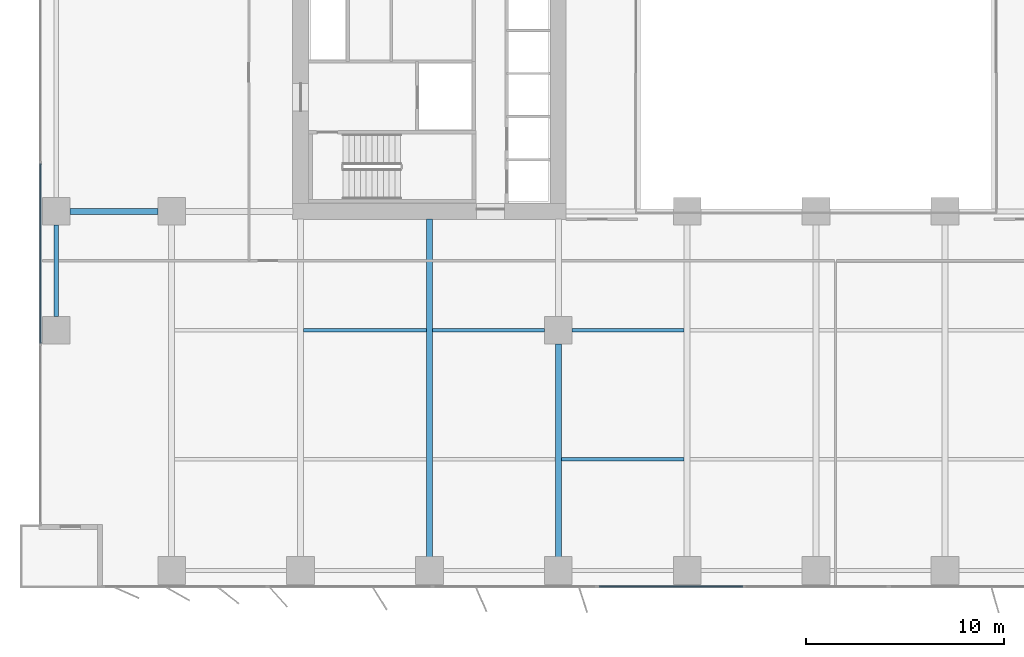
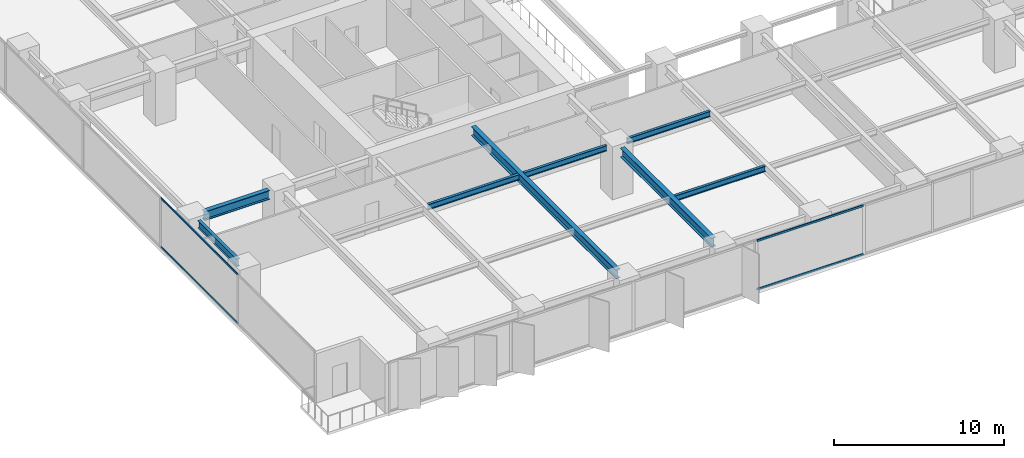
# One storey, part 3 of 20: 8 beams, 4 members, 2 elements without a shape of their own.
"""IFC4 building model written with IfcOpenShell, lengths in metres."""

from ifc_helpers import new_model, si_unit, direction, frame, origin, origin_2d, place, context, subcontext, project, spatial, rectangle, i_section, extrude, material, layer, layer_set, material_profile, profile_set, type_object, element, aggregate, save


model = new_model("IFC4")

# Units and contexts
model_context = context("Model", 3, precision=1e-05, world=origin(), true_north=direction((0.0, 1.0)))
body_context = subcontext(model_context, "Body", "Model", "MODEL_VIEW")
ifc_project = project(units=[si_unit("LENGTHUNIT", "METRE"), si_unit("AREAUNIT", "SQUARE_METRE"), si_unit("VOLUMEUNIT", "CUBIC_METRE"), si_unit("PLANEANGLEUNIT", "RADIAN"), si_unit("MASSUNIT", "GRAM", prefix="KILO")], contexts=[model_context])

# Site, building, storey
site_placement = place(None, origin())
site = spatial("IfcSite", under=ifc_project, at=site_placement, CompositionType="ELEMENT")
building_placement = place(site_placement, origin())
building = spatial("IfcBuilding", under=site, at=building_placement, Name="Putna Gate Headquarters", CompositionType="ELEMENT")
storey_placement = place(building_placement, frame((0.0, 0.0, 31.60009765625)))
storey = spatial("IfcBuildingStorey", under=building, at=storey_placement, Name="L06", CompositionType="ELEMENT", Elevation=31.60009765625)

# Beams
ifc_material_1 = material(Name="Steel S355J2", Category="steel")
ifc_material_profile_1 = material_profile(ifc_material_1, i_section(OverallWidth=0.300048828125, OverallDepth=0.64990234375, WebThickness=0.01611328125, FlangeThickness=0.031005859375, at=origin_2d()), Name="Steel S355J2")
ifc_profile_set_1 = profile_set([ifc_material_profile_1], Name="Steel S355J2")
beam_type_1 = type_object("IfcBeamType", Name="BM-GIRD-Z1-HEB650", PredefinedType="USERDEFINED", material=ifc_profile_set_1)
beam_1_placement = place(storey_placement, frame((1.367919921875, 19.0, 3.224853515625), z_axis=(1.0, 0.0, 0.0), x_axis=(0.0, 1.0, 0.0)))
element("IfcBeam", 1, at=beam_1_placement, inside=storey, type_object=beam_type_1, Name="L06 West Wing Girder Y19-1", ObjectType="GIRDER", PredefinedType="USERDEFINED", context=body_context, shape_type="SweptSolid", body=[
    extrude(i_section(OverallWidth=0.300048828125, OverallDepth=0.64990234375, WebThickness=0.01611328125, FlangeThickness=0.031005859375, at=origin_2d()), origin(), (0.0, 0.0, 1.0), 4.444091796875),
])
beam_2_placement = place(storey_placement, frame((19.5, 1.568115234375, 3.224853515625), z_axis=(0.0, 1.0, 0.0), x_axis=(-1.0, 0.0, 0.0)))
element("IfcBeam", 2, at=beam_2_placement, inside=storey, type_object=beam_type_1, Name="L06 South Primary Girder X19", ObjectType="GIRDER", PredefinedType="USERDEFINED", context=body_context, shape_type="SweptSolid", body=[
    extrude(i_section(OverallWidth=0.300048828125, OverallDepth=0.64990234375, WebThickness=0.01611328125, FlangeThickness=0.031005859375, at=origin_2d()), origin(), (0.0, 0.0, 1.0), 17.046875),
])
beam_3_placement = place(storey_placement, frame((26.0, 1.568115234375, 3.224853515625), z_axis=(0.0, 1.0, 0.0), x_axis=(-1.0, 0.0, 0.0)))
element("IfcBeam", 3, at=beam_3_placement, inside=storey, type_object=beam_type_1, Name="L06 South Primary Girder X26-1", ObjectType="GIRDER", PredefinedType="USERDEFINED", context=body_context, shape_type="SweptSolid", body=[
    extrude(i_section(OverallWidth=0.300048828125, OverallDepth=0.64990234375, WebThickness=0.01611328125, FlangeThickness=0.031005859375, at=origin_2d()), origin(), (0.0, 0.0, 1.0), 10.743896484375),
])
ifc_material_profile_2 = material_profile(ifc_material_1, i_section(OverallWidth=0.179931640625, OverallDepth=0.39990234375, WebThickness=0.008544921875, FlangeThickness=0.013427734375, at=origin_2d()), Name="Steel S355J2")
ifc_profile_set_2 = profile_set([ifc_material_profile_2], Name="Steel S355J2")
beam_type_2 = type_object("IfcBeamType", Name="BM-SEC-Z1-IPE400", PredefinedType="BEAM", material=ifc_profile_set_2)
beam_4_placement = place(storey_placement, frame((13.154052734375, 13.0, 3.349853515625), z_axis=(1.0, 0.0, 0.0), x_axis=(0.0, 1.0, 0.0)))
element("IfcBeam", 4, at=beam_4_placement, inside=storey, type_object=beam_type_2, Name="L06 South Secondary Beam 2", PredefinedType="BEAM", context=body_context, shape_type="SweptSolid", body=[
    extrude(i_section(OverallWidth=0.179931640625, OverallDepth=0.39990234375, WebThickness=0.008544921875, FlangeThickness=0.013427734375, at=origin_2d()), origin(), (0.0, 0.0, 1.0), 6.19189453125),
])
beam_5_placement = place(storey_placement, frame((19.654052734375, 13.0, 3.349853515625), z_axis=(1.0, 0.0, 0.0), x_axis=(0.0, 1.0, 0.0)))
element("IfcBeam", 5, at=beam_5_placement, inside=storey, type_object=beam_type_2, Name="L06 South Secondary Beam 3", PredefinedType="BEAM", context=body_context, shape_type="SweptSolid", body=[
    extrude(i_section(OverallWidth=0.179931640625, OverallDepth=0.39990234375, WebThickness=0.008544921875, FlangeThickness=0.013427734375, at=origin_2d()), origin(), (0.0, 0.0, 1.0), 5.657958984375),
])
beam_6_placement = place(storey_placement, frame((26.154052734375, 6.5, 3.349853515625), z_axis=(1.0, 0.0, 0.0), x_axis=(0.0, 1.0, 0.0)))
element("IfcBeam", 6, at=beam_6_placement, inside=storey, type_object=beam_type_2, Name="L06 South Secondary Beam 4", PredefinedType="BEAM", context=body_context, shape_type="SweptSolid", body=[
    extrude(i_section(OverallWidth=0.179931640625, OverallDepth=0.39990234375, WebThickness=0.008544921875, FlangeThickness=0.013427734375, at=origin_2d()), origin(), (0.0, 0.0, 1.0), 6.19189453125),
])
beam_7_placement = place(storey_placement, frame((26.68798828125, 13.0, 3.349853515625), z_axis=(1.0, 0.0, 0.0), x_axis=(0.0, 1.0, 0.0)))
element("IfcBeam", 7, at=beam_7_placement, inside=storey, type_object=beam_type_2, Name="L06 South Secondary Beam 4", PredefinedType="BEAM", context=body_context, shape_type="SweptSolid", body=[
    extrude(i_section(OverallWidth=0.179931640625, OverallDepth=0.39990234375, WebThickness=0.008544921875, FlangeThickness=0.013427734375, at=origin_2d()), origin(), (0.0, 0.0, 1.0), 5.657958984375),
])
ifc_material_profile_3 = material_profile(ifc_material_1, i_section(OverallWidth=0.2099609375, OverallDepth=0.550048828125, WebThickness=0.010986328125, FlangeThickness=0.01708984375, at=origin_2d()), Name="Steel S355J2")
ifc_profile_set_3 = profile_set([ifc_material_profile_3], Name="Steel S355J2")
beam_type_3 = type_object("IfcBeamType", Name="BM-SPAN-Z1-IPE550", PredefinedType="SPANDREL", material=ifc_profile_set_3)
beam_8_placement = place(storey_placement, frame((0.679931640625, 13.68798828125, 3.27490234375), z_axis=(0.0, 1.0, 0.0), x_axis=(-1.0, 0.0, 0.0)))
element("IfcBeam", 8, at=beam_8_placement, inside=storey, type_object=beam_type_3, Name="L06 W End Spandrel 1", PredefinedType="SPANDREL", context=body_context, shape_type="SweptSolid", body=[
    extrude(i_section(OverallWidth=0.2099609375, OverallDepth=0.550048828125, WebThickness=0.010986328125, FlangeThickness=0.01708984375, at=origin_2d()), origin(), (0.0, 0.0, 1.0), 4.6240234375),
])

# Curtain wall, members
ifc_material_2 = material(Name="Anodised bronze aluminium curtain wall", Category="aluminium")
ifc_layer_1 = layer(ifc_material_2, 0.179931640625)
ifc_layer_set_1 = layer_set([ifc_layer_1], Name="Anodised bronze aluminium curtain wall")
curtain_wall_type_1 = type_object("IfcCurtainWallType", Name="CW-SYS-Z1", PredefinedType="USERDEFINED", material=ifc_layer_set_1)
curtain_wall_1_placement = place(storey_placement, origin())
curtain_wall_1 = element("IfcCurtainWall", 9, at=curtain_wall_1_placement, inside=storey, type_object=curtain_wall_type_1, Name="L06 West Curtain Wall", ObjectType="STICK CURTAIN WALL", PredefinedType="USERDEFINED")
ifc_material_3 = material(Name="Anodised bronze aluminium EN AW-6060", Category="aluminium")
ifc_material_profile_4 = material_profile(ifc_material_3, rectangle(XDim=0.06494140625, YDim=0.1201171875, at=origin_2d()), Name="Anodised bronze aluminium EN AW-6060")
ifc_profile_set_4 = profile_set([ifc_material_profile_4], Name="Anodised bronze aluminium EN AW-6060")
member_type_1 = type_object("IfcMemberType", Name="TRAN-CWT-1", PredefinedType="USERDEFINED", material=ifc_profile_set_4)
member_1_placement = place(storey_placement, frame((-0.1201171875, 12.35498046875, 0.032470703125), z_axis=(0.0, 1.0, 0.0), x_axis=(-1.0, 0.0, 0.0)))
member_1 = element("IfcMember", 10, at=member_1_placement, type_object=member_type_1, Name="CWS-1 transom 2.1", ObjectType="TRANSOM", PredefinedType="USERDEFINED", context=body_context, shape_type="SweptSolid", body=[
    extrude(rectangle(XDim=0.06494140625, YDim=0.1201171875, at=origin_2d()), origin(), (0.0, 0.0, 1.0), 9.050048828125),
])
member_2_placement = place(storey_placement, frame((-0.1201171875, 12.35498046875, 3.517333984375), z_axis=(0.0, 1.0, 0.0), x_axis=(-1.0, 0.0, 0.0)))
member_2 = element("IfcMember", 11, at=member_2_placement, type_object=member_type_1, Name="CWS-1 transom 2.2", ObjectType="TRANSOM", PredefinedType="USERDEFINED", context=body_context, shape_type="SweptSolid", body=[
    extrude(rectangle(XDim=0.06494140625, YDim=0.1201171875, at=origin_2d()), origin(), (0.0, 0.0, 1.0), 9.050048828125),
])
aggregate(curtain_wall_1, [member_1, member_2])

ifc_layer_2 = layer(ifc_material_2, 0.179931640625)
ifc_layer_set_2 = layer_set([ifc_layer_2], Name="Anodised bronze aluminium curtain wall")
curtain_wall_type_2 = type_object("IfcCurtainWallType", Name="CW-SYS-ATR", PredefinedType="USERDEFINED", material=ifc_layer_set_2)
curtain_wall_2_placement = place(storey_placement, origin())
curtain_wall_2 = element("IfcCurtainWall", 12, at=curtain_wall_2_placement, inside=storey, type_object=curtain_wall_type_2, Name="L06 South Atrium Clear Glazing", ObjectType="ATRIUM GLAZING", PredefinedType="USERDEFINED")
ifc_material_profile_5 = material_profile(ifc_material_3, rectangle(XDim=0.070068359375, YDim=0.139892578125, at=origin_2d()), Name="Anodised bronze aluminium EN AW-6060")
ifc_profile_set_5 = profile_set([ifc_material_profile_5], Name="Anodised bronze aluminium EN AW-6060")
member_type_2 = type_object("IfcMemberType", Name="TRAN-CWT-AT", PredefinedType="USERDEFINED", material=ifc_profile_set_5)
member_3_placement = place(storey_placement, frame((28.070068359375, 0.080078125, 0.034912109375), z_axis=(1.0, 0.0, 0.0), x_axis=(0.0, 1.0, 0.0)))
member_3 = element("IfcMember", 13, at=member_3_placement, type_object=member_type_2, Name="CWS-AT transom 1.1", ObjectType="TRANSOM", PredefinedType="USERDEFINED", context=body_context, shape_type="SweptSolid", body=[
    extrude(rectangle(XDim=0.070068359375, YDim=0.139892578125, at=origin_2d()), origin(), (0.0, 0.0, 1.0), 7.228271484375),
])
member_4_placement = place(storey_placement, frame((28.070068359375, 0.080078125, 3.514892578125), z_axis=(1.0, 0.0, 0.0), x_axis=(0.0, 1.0, 0.0)))
member_4 = element("IfcMember", 14, at=member_4_placement, type_object=member_type_2, Name="CWS-AT transom 1.2", ObjectType="TRANSOM", PredefinedType="USERDEFINED", context=body_context, shape_type="SweptSolid", body=[
    extrude(rectangle(XDim=0.070068359375, YDim=0.139892578125, at=origin_2d()), origin(), (0.0, 0.0, 1.0), 7.228271484375),
])
aggregate(curtain_wall_2, [member_3, member_4])

save(model, "model.ifc")
